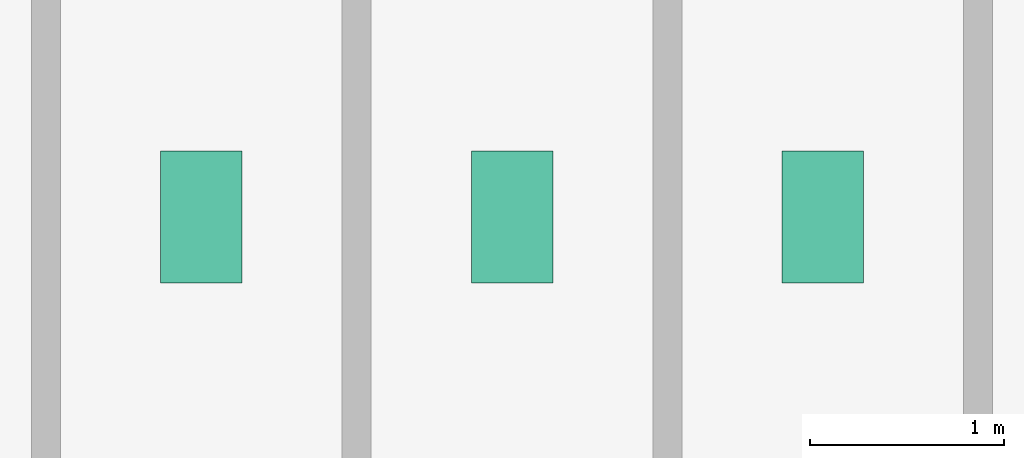
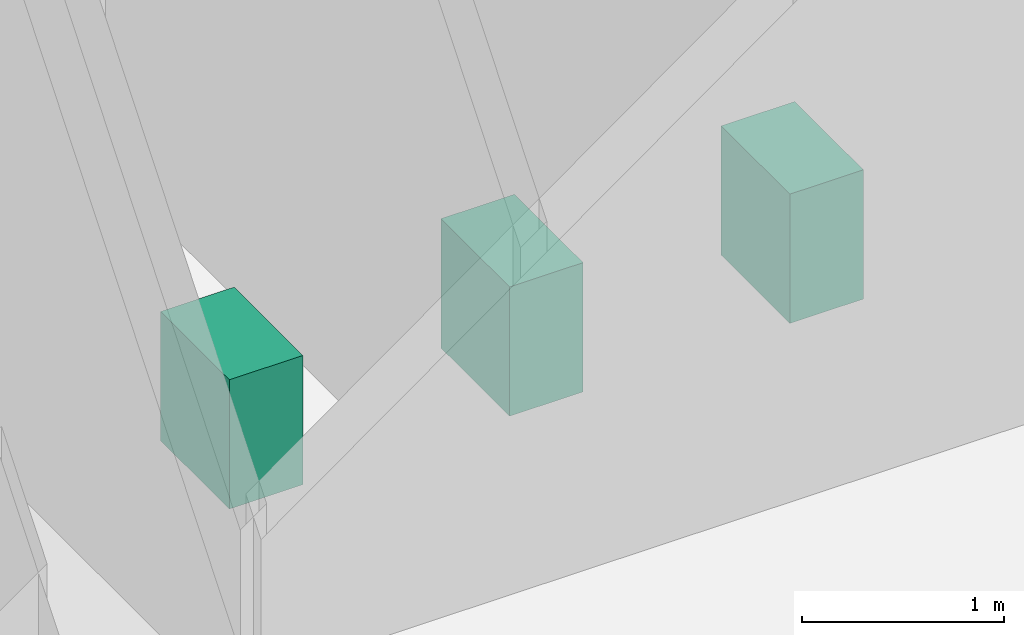
# One storey, part 26 of 26: 3 sanitary terminals.
"""IFC4 building model written with IfcOpenShell, lengths in metres."""

from ifc_helpers import new_model, si_unit, derived_unit, direction, frame, origin, origin_2d, place, context, subcontext, project, spatial, rectangle, extrude, source, transform, mapped, material, type_object, element, save


model = new_model("IFC4")

# Units and contexts
model_context = context("Model", 3, precision=1e-05, world=origin(), true_north=direction((0.0, 1.0)))
body_context = subcontext(model_context, "Body", "Model", "MODEL_VIEW")
ifc_project = project(units=[si_unit("LENGTHUNIT", "METRE"), si_unit("AREAUNIT", "SQUARE_METRE"), si_unit("VOLUMEUNIT", "CUBIC_METRE"), si_unit("PLANEANGLEUNIT", "RADIAN"), si_unit("MASSUNIT", "GRAM", prefix="KILO"), derived_unit("THERMALTRANSMITTANCEUNIT", [(si_unit("POWERUNIT", "WATT"), 1), (si_unit("LENGTHUNIT", "METRE"), -2), (si_unit("THERMODYNAMICTEMPERATUREUNIT", "KELVIN"), -1)])], contexts=[model_context])

# Site, building, storey
site_placement = place(None, origin())
site = spatial("IfcSite", under=ifc_project, at=site_placement, CompositionType="ELEMENT")
building_placement = place(site_placement, origin())
building = spatial("IfcBuilding", under=site, at=building_placement, Name="Skarnbrae Concourse Arena and Tower", CompositionType="ELEMENT")
storey_placement = place(building_placement, frame((0.0, 0.0, 103.25)))
storey = spatial("IfcBuildingStorey", under=building, at=storey_placement, Name="L25", CompositionType="ELEMENT", Elevation=103.25)

# Sanitary terminals
ifc_material = material(Name="Vitreous china sanitaryware", Category="other")
sanitary_terminal_type = type_object("IfcSanitaryTerminalType", Name="SAN-WC-VITREOUS", PredefinedType="TOILETPAN", material=ifc_material)
shared_shape = source(origin(), body_context, "Body", "SweptSolid", [
    extrude(rectangle(XDim=0.419921875, YDim=0.679931640625, at=origin_2d()), origin(), (0.0, 0.0, 1.0), 0.780029296875),
])
for number, where, z_axis, x_axis, name in (
    (1, (35.0, 11.39990234375, 0.0), (0.0, 0.0, 1.0), (1.0, 0.0, 0.0), "L25 Washroom WC fixture 1"),
    (2, (36.60009765625, 11.39990234375, 0.0), (0.0, 0.0, 1.0), (1.0, 0.0, 0.0), "L25 Washroom WC fixture 2"),
    (3, (38.199951171875, 11.39990234375, 0.0), (0.0, 0.0, 1.0), (1.0, 0.0, 0.0), "L25 Washroom WC fixture 3"),
):
    element("IfcSanitaryTerminal", number, at=place(storey_placement, frame(where, z_axis=z_axis, x_axis=x_axis)), inside=storey, type_object=sanitary_terminal_type, Name=name, PredefinedType="TOILETPAN", context=body_context, shape_type="MappedRepresentation", body=[
        mapped(shared_shape, transform((0.0, 0.0, 0.0))),
    ])

save(model, "model.ifc")
